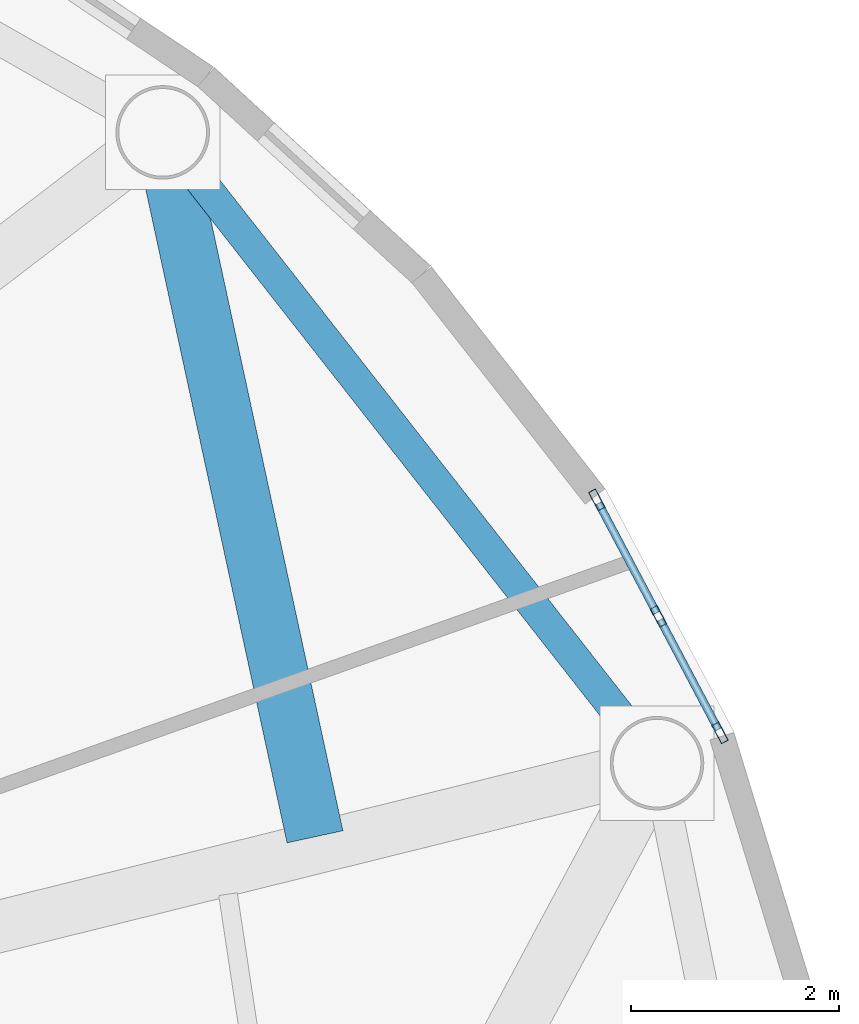
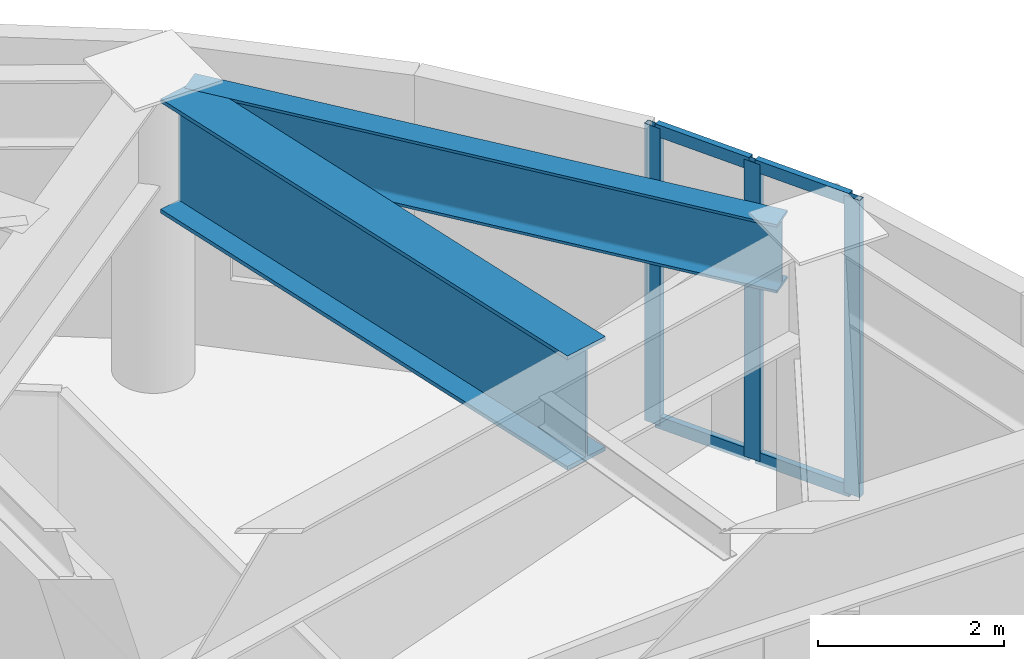
# One storey, part 12 of 23: 7 members, 2 beams, 1 element without a shape of its own.
"""IFC4 building model written with IfcOpenShell, lengths in metres."""

import ifcopenshell
import ifcopenshell.guid

model = None  # the IFC model being written
_history = None  # IfcOwnerHistory: only IFC2X3 demands one
_inside = {}  # id of a spatial element -> (the spatial element, [elements in it])
_under = {}  # id of a project, library or spatial element -> (it, [spatial elements below it])
_declared = {}  # id of a project -> (the project, [libraries it declares])
_typed = {}  # id of a type object -> (the type object, [elements of that type])
_made_of = {}  # id of a material, layer set ... -> (it, [elements and type objects made of it])


def new_model(schema):
    """Start an empty IFC model of exactly this schema.

    Asked for "IFC4X3", IfcOpenShell would pick the latest addendum, in which some entities
    have other attributes; the version numbers below select the first issue.
    IFC2X3 requires an IfcOwnerHistory on every rooted entity: one is made here for all.
    """
    global model, _history
    if schema == "IFC4X3":
        model = ifcopenshell.file(schema_version=(4, 3, 0, 0))
    else:
        model = ifcopenshell.file(schema=schema)
    _inside.clear()
    _under.clear()
    _declared.clear()
    _typed.clear()
    _made_of.clear()
    _history = None
    if model.schema == "IFC2X3":
        org = make("IfcOrganization", Name="unknown")
        user = make(
            "IfcPersonAndOrganization",
            ThePerson=make("IfcPerson", FamilyName="unknown"),
            TheOrganization=org,
        )
        app = make(
            "IfcApplication",
            ApplicationDeveloper=org,
            Version="unknown",
            ApplicationFullName="unknown",
            ApplicationIdentifier="unknown",
        )
        _history = make(
            "IfcOwnerHistory",
            OwningUser=user,
            OwningApplication=app,
            ChangeAction="ADDED",
            CreationDate=0,
        )
    return model


def make(cls, **values):
    """One entity of the class cls with the attributes given. An attribute that is None is left unset."""
    return model.create_entity(
        cls, **{name: value for name, value in values.items() if value is not None}
    )


def rooted(cls, **values):
    """An entity with a GlobalId (a new one), such as an element, a storey or a relation."""
    return make(cls, GlobalId=ifcopenshell.guid.new(), OwnerHistory=_history, **values)


def si_unit(unit_type, name, prefix=None):
    """IfcSIUnit, for example si_unit("LENGTHUNIT", "METRE", prefix="MILLI")."""
    return make("IfcSIUnit", UnitType=unit_type, Prefix=prefix, Name=name)


def assignment(units):
    """IfcUnitAssignment: the units of a project."""
    return None if units is None else make("IfcUnitAssignment", Units=units)


def point(xyz):
    """IfcCartesianPoint."""
    return None if xyz is None else make("IfcCartesianPoint", Coordinates=xyz)


def direction(xyz):
    """IfcDirection."""
    return None if xyz is None else make("IfcDirection", DirectionRatios=xyz)


def frame(location, z_axis=None, x_axis=None):
    """IfcAxis2Placement3D, a coordinate frame: its origin and axes. An axis left out is left unset."""
    return make(
        "IfcAxis2Placement3D",
        Location=point(location),
        Axis=direction(z_axis),
        RefDirection=direction(x_axis),
    )


def frame_2d(location, x_axis=None):
    """IfcAxis2Placement2D, a coordinate frame in the plane: its origin and x axis."""
    return make(
        "IfcAxis2Placement2D", Location=point(location), RefDirection=direction(x_axis)
    )


def origin():
    """The frame at (0, 0, 0) with its axes left unset."""
    return frame((0.0, 0.0, 0.0))


def origin_2d():
    """The frame at (0, 0) in the plane with its x axis left unset."""
    return frame_2d((0.0, 0.0))


def place(relative_to, where):
    """IfcLocalPlacement: puts the frame where relative to a parent placement (None: the world)."""
    return make(
        "IfcLocalPlacement", PlacementRelTo=relative_to, RelativePlacement=where
    )


def context(
    kind, dimensions, precision=None, world=None, true_north=None, identifier=None
):
    """IfcGeometricRepresentationContext, for example the 3D "Model" context."""
    return make(
        "IfcGeometricRepresentationContext",
        ContextIdentifier=identifier,
        ContextType=kind,
        CoordinateSpaceDimension=dimensions,
        Precision=precision,
        WorldCoordinateSystem=world,
        TrueNorth=true_north,
    )


def subcontext(parent, identifier, kind, view, scale=None):
    """IfcGeometricRepresentationSubContext, for example "Body" below "Model"."""
    return make(
        "IfcGeometricRepresentationSubContext",
        ContextIdentifier=identifier,
        ContextType=kind,
        ParentContext=parent,
        TargetScale=scale,
        TargetView=view,
    )


def project(units=None, contexts=None):
    """IfcProject with its units and contexts."""
    return rooted(
        "IfcProject",
        Name="project",
        RepresentationContexts=contexts,
        UnitsInContext=assignment(units),
    )


def spatial(cls, under=None, at=None, **own):
    """A site, building, storey or space (cls), placed at a placement, below another one or the project."""
    s = rooted(cls, ObjectPlacement=at, **own)
    if under is not None:
        _under.setdefault(under.id(), (under, []))[1].append(s)
    return s


def profile(cls, at=None, kind="AREA", **sizes):
    """A parametric profile (cls). Its sizes go by their IFC names, for example OverallWidth=200.0."""
    return make(cls, ProfileType=kind, Position=at, **sizes)


def hollow_rectangle(**sizes):
    """IfcRectangleHollowProfileDef."""
    return profile("IfcRectangleHollowProfileDef", **sizes)


def i_section(**sizes):
    """IfcIShapeProfileDef."""
    return profile("IfcIShapeProfileDef", **sizes)


def extrude(swept, where, along, depth):
    """IfcExtrudedAreaSolid: the profile swept, set in the frame where, extruded along a direction by depth."""
    return make(
        "IfcExtrudedAreaSolid",
        SweptArea=swept,
        Position=where,
        ExtrudedDirection=direction(along),
        Depth=depth,
    )


def shape(context_of_items, identifier, shape_type, items):
    """IfcShapeRepresentation: the items that make up one representation, for example the "Body"."""
    return make(
        "IfcShapeRepresentation",
        ContextOfItems=context_of_items,
        RepresentationIdentifier=identifier,
        RepresentationType=shape_type,
        Items=items,
    )


def source(mapping_origin, context_of_items, identifier, shape_type, items):
    """IfcRepresentationMap: a shape defined once, which mapped items show again and again."""
    return make(
        "IfcRepresentationMap",
        MappingOrigin=mapping_origin,
        MappedRepresentation=shape(context_of_items, identifier, shape_type, items),
    )


def transform(
    local_origin,
    x_axis=None,
    y_axis=None,
    z_axis=None,
    scale=None,
    scale2=None,
    scale3=None,
    uniform=True,
):
    """IfcCartesianTransformationOperator3D, or its non-uniform kind. x_axis, y_axis, z_axis: its Axis1, 2, 3."""
    if uniform:
        return make(
            "IfcCartesianTransformationOperator3D",
            Axis1=direction(x_axis),
            Axis2=direction(y_axis),
            LocalOrigin=point(local_origin),
            Scale=scale,
            Axis3=direction(z_axis),
        )
    return make(
        "IfcCartesianTransformationOperator3DnonUniform",
        Axis1=direction(x_axis),
        Axis2=direction(y_axis),
        LocalOrigin=point(local_origin),
        Scale=scale,
        Axis3=direction(z_axis),
        Scale2=scale2,
        Scale3=scale3,
    )


def mapped(mapping_source, mapping_target):
    """IfcMappedItem: shows the shape of a source again, moved by a transform."""
    return make(
        "IfcMappedItem", MappingSource=mapping_source, MappingTarget=mapping_target
    )


def material(Name=None, Category=None):
    """IfcMaterial."""
    return make("IfcMaterial", Name=Name, Category=Category)


def layer(
    of_material, thickness, ventilated=None, Name=None, Category=None, Priority=None
):
    """IfcMaterialLayer: one layer of a wall or slab, of a material (None: an air gap)."""
    return make(
        "IfcMaterialLayer",
        Material=of_material,
        LayerThickness=thickness,
        IsVentilated=ventilated,
        Name=Name,
        Category=Category,
        Priority=Priority,
    )


def layer_set(layers, Name=None):
    """IfcMaterialLayerSet."""
    return make("IfcMaterialLayerSet", MaterialLayers=layers, LayerSetName=Name)


def material_profile(
    of_material, cross_section, Name=None, Category=None, Priority=None
):
    """IfcMaterialProfile: a cross section and its material."""
    return make(
        "IfcMaterialProfile",
        Name=Name,
        Material=of_material,
        Profile=cross_section,
        Priority=Priority,
        Category=Category,
    )


def profile_set(profiles, Name=None, composite=None):
    """IfcMaterialProfileSet."""
    return make(
        "IfcMaterialProfileSet",
        Name=Name,
        MaterialProfiles=profiles,
        CompositeProfile=composite,
    )


def made_of(thing, what):
    """Note that an element or type object is made of a material, layer set ...; save() writes the relation."""
    if what is not None:
        _made_of.setdefault(what.id(), (what, []))[1].append(thing)
    return thing


def type_object(cls, material=None, **own):
    """A type object (cls), such as IfcWallType, which elements share."""
    return made_of(rooted(cls, **own), material)


def element(
    cls,
    number,
    at=None,
    inside=None,
    cuts=None,
    type_object=None,
    material=None,
    context=None,
    identifier="Body",
    shape_type=None,
    held_by="IfcProductDefinitionShape",
    body=None,
    shapes=None,
    **own,
):
    """One element of the class cls, such as IfcWall. Its Tag is "e" and its number.

    at: its placement. inside: the storey or other place that contains it. cuts: it is an
    opening in that element (IfcRelVoidsElement). A single representation is given by context,
    identifier, shape_type and body (its items); several are given by shapes. held_by: the class
    of the entity that holds the representations. save() writes the other relations.
    """
    e = rooted(cls, Tag="e%d" % number, ObjectPlacement=at, **own)
    if body is not None:
        shapes = [shape(context, identifier, shape_type, body)]
    if shapes is not None:
        e.Representation = make(held_by, Representations=shapes)
    if inside is not None:
        _inside.setdefault(inside.id(), (inside, []))[1].append(e)
    if cuts is not None:
        rooted(
            "IfcRelVoidsElement", RelatingBuildingElement=cuts, RelatedOpeningElement=e
        )
    if type_object is not None:
        _typed.setdefault(type_object.id(), (type_object, []))[1].append(e)
    return made_of(e, material)


def aggregate(whole, parts):
    """IfcRelAggregates: a whole, such as a stair, and the parts it consists of."""
    return rooted("IfcRelAggregates", RelatingObject=whole, RelatedObjects=parts)


def save(model, path):
    """Write the relations noted so far, then the file.

    IfcRelAggregates (storeys below a building ...), IfcRelContainedInSpatialStructure (elements
    in a storey), IfcRelDefinesByType, IfcRelAssociatesMaterial and IfcRelDeclares: one each for
    every whole, place, type object, material and project.
    """
    for whole, parts in _under.values():
        aggregate(whole, parts)
    for where, things in _inside.values():
        rooted(
            "IfcRelContainedInSpatialStructure",
            RelatedElements=things,
            RelatingStructure=where,
        )
    for kind, things in _typed.values():
        rooted("IfcRelDefinesByType", RelatedObjects=things, RelatingType=kind)
    for what, things in _made_of.values():
        rooted("IfcRelAssociatesMaterial", RelatedObjects=things, RelatingMaterial=what)
    for by, libraries in _declared.values():
        rooted("IfcRelDeclares", RelatingContext=by, RelatedDefinitions=libraries)
    model.write(path)


model = new_model("IFC4")

# Units and contexts
model_context = context("Model", 3, precision=1e-05, world=origin(), true_north=direction((0.0, 1.0)))
body_context = subcontext(model_context, "Body", "Model", "MODEL_VIEW")
ifc_project = project(units=[si_unit("LENGTHUNIT", "METRE"), si_unit("AREAUNIT", "SQUARE_METRE"), si_unit("VOLUMEUNIT", "CUBIC_METRE"), si_unit("PLANEANGLEUNIT", "RADIAN"), si_unit("MASSUNIT", "GRAM", prefix="KILO")], contexts=[model_context])

# Site, building, storey
site_placement = place(None, origin())
site = spatial("IfcSite", under=ifc_project, at=site_placement, CompositionType="ELEMENT")
building_placement = place(site_placement, origin())
building = spatial("IfcBuilding", under=site, at=building_placement, Name="Linh Dai School and Residence Tower", CompositionType="ELEMENT")
storey_placement = place(building_placement, frame((0.0, 0.0, 359.39990234375)))
storey = spatial("IfcBuildingStorey", under=building, at=storey_placement, Name="L89", CompositionType="ELEMENT", Elevation=359.39990234375)

# Beams
ifc_material_1 = material(Name="Structural Steel S355JR", Category="steel")
ifc_material_profile_1 = material_profile(ifc_material_1, i_section(OverallWidth=0.300048828125, OverallDepth=0.89990234375, WebThickness=0.0185546875, FlangeThickness=0.034912109375, FilletRadius=0.030029296875, at=origin_2d()), Name="HEB 900")
ifc_profile_set_1 = profile_set([ifc_material_profile_1], Name="Structural Steel S355JR")
beam_type_1 = type_object("IfcBeamType", Name="BM-RG9", PredefinedType="BEAM", material=ifc_profile_set_1)
beam_1_placement = place(storey_placement, frame((54.498779296875, 31.9853515625, 3.4501953125), z_axis=(-0.616844770958, 0.787084829318, 0.0), x_axis=(-0.787084829318, -0.616844770958, 0.0)))
element("IfcBeam", 1, at=beam_1_placement, inside=storey, type_object=beam_type_1, Name="L89 Perimeter Elliptical Ring Beam 02", PredefinedType="BEAM", context=body_context, shape_type="SweptSolid", body=[
    extrude(i_section(OverallWidth=0.300048828125, OverallDepth=0.89990234375, WebThickness=0.0185546875, FlangeThickness=0.034912109375, FilletRadius=0.030029296875, at=origin_2d()), origin(), (0.0, 0.0, 1.0), 6.869384765625),
])
ifc_material_profile_2 = material_profile(ifc_material_1, i_section(OverallWidth=0.550048828125, OverallDepth=1.5, WebThickness=0.028076171875, FlangeThickness=0.050048828125, at=origin_2d()), Name="PG 1500x550x28x50")
ifc_profile_set_2 = profile_set([ifc_material_profile_2], Name="Structural Steel S355JR")
beam_type_2 = type_object("IfcBeamType", Name="BM-TG15", PredefinedType="BEAM", material=ifc_profile_set_2)
beam_2_placement = place(storey_placement, frame((51.467529296875, 30.94677734375, 3.150146484375), z_axis=(-0.211354086798, 0.97740956103, 0.0), x_axis=(-0.97740956103, -0.211354086798, 0.0)))
element("IfcBeam", 2, at=beam_2_placement, inside=storey, type_object=beam_type_2, Name="L89 Setback Diaphragm Transfer Girder 02", PredefinedType="BEAM", context=body_context, shape_type="SweptSolid", body=[
    extrude(i_section(OverallWidth=0.550048828125, OverallDepth=1.5, WebThickness=0.028076171875, FlangeThickness=0.050048828125, at=origin_2d()), origin(), (0.0, 0.0, 1.0), 6.5126953125),
])

# Curtain wall, members
ifc_material_2 = material(Name="Aluminium Anodised Curtain Wall", Category="aluminium")
ifc_layer = layer(ifc_material_2, 0.199951171875)
ifc_layer_set = layer_set([ifc_layer], Name="Aluminium Anodised Curtain Wall")
curtain_wall_type = type_object("IfcCurtainWallType", Name="CW-SYS-6", PredefinedType="USERDEFINED", material=ifc_layer_set)
curtain_wall_placement = place(storey_placement, origin())
curtain_wall = element("IfcCurtainWall", 3, at=curtain_wall_placement, inside=storey, type_object=curtain_wall_type, Name="L89 CW6 Curtain Wall 03", ObjectType="UNITISED CURTAIN WALL", PredefinedType="USERDEFINED")
ifc_material_3 = material(Name="Aluminium Alloy 6063-T6", Category="aluminium")
ifc_material_profile_3 = material_profile(ifc_material_3, hollow_rectangle(XDim=0.074951171875, YDim=0.159912109375, WallThickness=0.00390625, at=origin_2d()), Name="RHS 160x75x4")
ifc_profile_set_3 = profile_set([ifc_material_profile_3], Name="Aluminium Alloy 6063-T6")
member_type_1 = type_object("IfcMemberType", Name="CW-SYS-6-TRN", PredefinedType="USERDEFINED", material=ifc_profile_set_3)
shared_shape_1 = source(origin(), body_context, "Body", "SweptSolid", [
    extrude(hollow_rectangle(XDim=0.074951171875, YDim=0.159912109375, WallThickness=0.00390625, at=origin_2d()), origin(), (0.0, 0.0, 1.0), 1.1923828125),
])
member_1_placement = place(storey_placement, frame((54.196044921875, 34.154296875, 0.03759765625), z_axis=(0.467407909731, -0.884041767068, 0.0), x_axis=(0.884041767068, 0.467407909731, 0.0)))
member_1 = element("IfcMember", 4, at=member_1_placement, type_object=member_type_1, Name="CW6 transom 1.1", ObjectType="TRANSOM", PredefinedType="USERDEFINED", context=body_context, shape_type="MappedRepresentation", body=[
    mapped(shared_shape_1, transform((0.0, 0.0, 0.0), x_axis=(1.0, 0.0, 0.0), y_axis=(0.0, 1.0, 0.0), z_axis=(0.0, 0.0, 1.0), scale=1.0)),
])
member_2_placement = place(storey_placement, frame((54.196044921875, 34.154296875, 3.862548828125), z_axis=(0.467407909731, -0.884041767068, 0.0), x_axis=(0.884041767068, 0.467407909731, 0.0)))
member_2 = element("IfcMember", 5, at=member_2_placement, type_object=member_type_1, Name="CW6 transom 1.2", ObjectType="TRANSOM", PredefinedType="USERDEFINED", context=body_context, shape_type="MappedRepresentation", body=[
    mapped(shared_shape_1, transform((0.0, 0.0, 0.0), x_axis=(1.0, 0.0, 0.0), y_axis=(0.0, 1.0, 0.0), z_axis=(0.0, 0.0, 1.0), scale=1.0)),
])
shared_shape_2 = source(origin(), body_context, "Body", "SweptSolid", [
    extrude(hollow_rectangle(XDim=0.074951171875, YDim=0.159912109375, WallThickness=0.00390625, at=origin_2d()), origin(), (0.0, 0.0, 1.0), 1.192626953125),
])
member_3_placement = place(storey_placement, frame((54.78857421875, 33.033935546875, 0.03759765625), z_axis=(0.467567892559, -0.883957162903, 0.0), x_axis=(0.883957162903, 0.467567892559, 0.0)))
member_3 = element("IfcMember", 6, at=member_3_placement, type_object=member_type_1, Name="CW6 transom 2.1", ObjectType="TRANSOM", PredefinedType="USERDEFINED", context=body_context, shape_type="MappedRepresentation", body=[
    mapped(shared_shape_2, transform((0.0, 0.0, 0.0), x_axis=(1.0, 0.0, 0.0), y_axis=(0.0, 1.0, 0.0), z_axis=(0.0, 0.0, 1.0), scale=1.0)),
])
member_4_placement = place(storey_placement, frame((54.78857421875, 33.033935546875, 3.862548828125), z_axis=(0.467567892559, -0.883957162903, 0.0), x_axis=(0.883957162903, 0.467567892559, 0.0)))
member_4 = element("IfcMember", 7, at=member_4_placement, type_object=member_type_1, Name="CW6 transom 2.2", ObjectType="TRANSOM", PredefinedType="USERDEFINED", context=body_context, shape_type="MappedRepresentation", body=[
    mapped(shared_shape_2, transform((0.0, 0.0, 0.0), x_axis=(1.0, 0.0, 0.0), y_axis=(0.0, 1.0, 0.0), z_axis=(0.0, 0.0, 1.0), scale=1.0)),
])
ifc_material_profile_4 = material_profile(ifc_material_3, hollow_rectangle(XDim=0.074951171875, YDim=0.199951171875, WallThickness=0.00390625, at=origin_2d()), Name="RHS 200x75x4")
ifc_profile_set_4 = profile_set([ifc_material_profile_4], Name="Aluminium Alloy 6063-T6")
member_type_2 = type_object("IfcMemberType", Name="CW-SYS-6-MUL", PredefinedType="MULLION", material=ifc_profile_set_4)
shared_shape_3 = source(origin(), body_context, "Body", "SweptSolid", [
    extrude(hollow_rectangle(XDim=0.074951171875, YDim=0.199951171875, WallThickness=0.00390625, at=origin_2d()), origin(), (0.0, 0.0, 1.0), 3.900146484375),
])
member_5_placement = place(storey_placement, frame((54.178466796875, 34.1875, 0.0), z_axis=(0.0, 0.0, 1.0), x_axis=(0.883971809156, 0.46754020214, 0.0)))
member_5 = element("IfcMember", 8, at=member_5_placement, type_object=member_type_2, Name="CW6 mullion 1", PredefinedType="MULLION", context=body_context, shape_type="MappedRepresentation", body=[
    mapped(shared_shape_3, transform((0.0, 0.0, 0.0), x_axis=(1.0, 0.0, 0.0), y_axis=(0.0, 1.0, 0.0), z_axis=(0.0, 0.0, 1.0), scale=1.0)),
])
member_6_placement = place(storey_placement, frame((54.77099609375, 33.06689453125, 0.0), z_axis=(0.0, 0.0, 1.0), x_axis=(0.883971809156, 0.46754020214, 0.0)))
member_6 = element("IfcMember", 9, at=member_6_placement, type_object=member_type_2, Name="CW6 mullion 2", PredefinedType="MULLION", context=body_context, shape_type="MappedRepresentation", body=[
    mapped(shared_shape_3, transform((0.0, 0.0, 0.0), x_axis=(1.0, 0.0, 0.0), y_axis=(0.0, 1.0, 0.0), z_axis=(0.0, 0.0, 1.0), scale=1.0)),
])
member_7_placement = place(storey_placement, frame((55.36376953125, 31.946533203125, 0.0), z_axis=(0.0, 0.0, 1.0), x_axis=(0.883971809156, 0.46754020214, 0.0)))
member_7 = element("IfcMember", 10, at=member_7_placement, type_object=member_type_2, Name="CW6 mullion 3", PredefinedType="MULLION", context=body_context, shape_type="MappedRepresentation", body=[
    mapped(shared_shape_3, transform((0.0, 0.0, 0.0), x_axis=(1.0, 0.0, 0.0), y_axis=(0.0, 1.0, 0.0), z_axis=(0.0, 0.0, 1.0), scale=1.0)),
])
aggregate(curtain_wall, [member_5, member_6, member_7, member_1, member_2, member_3, member_4])

save(model, "model.ifc")
